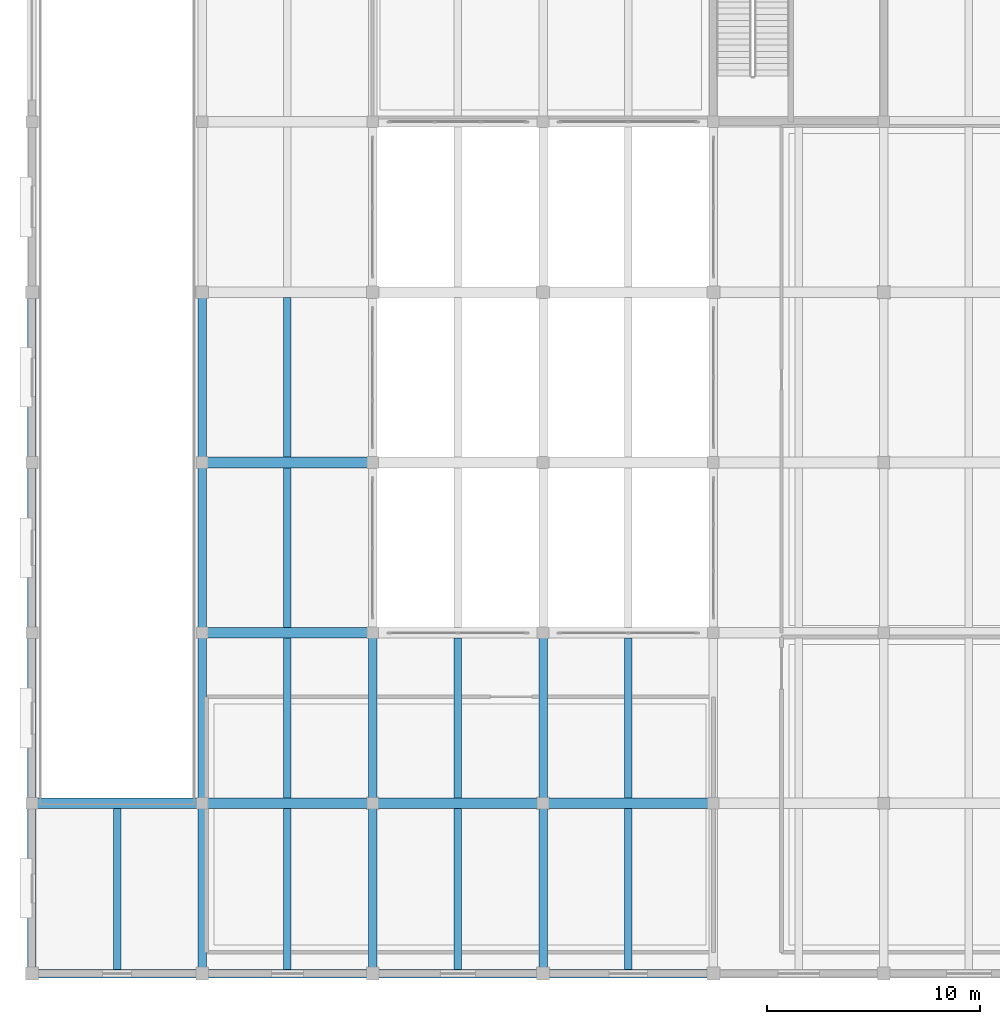
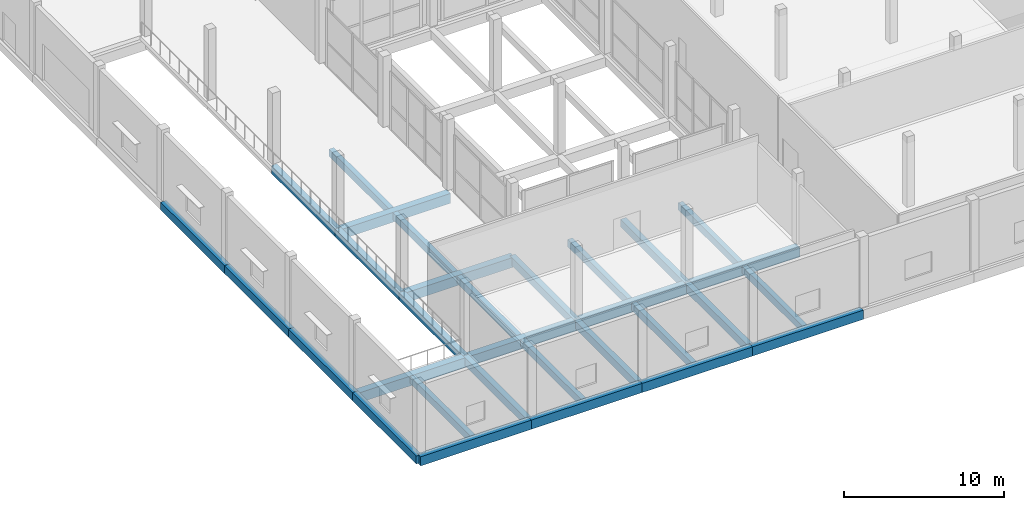
# One storey, part 3 of 41: 31 beams.
"""IFC4 building model written with IfcOpenShell, lengths in metres."""

from ifc_helpers import new_model, si_unit, direction, frame, origin, origin_2d, place, context, subcontext, project, spatial, rectangle, extrude, material, material_profile, profile_set, type_object, element, save


model = new_model("IFC4")

# Units and contexts
model_context = context("Model", 3, precision=1e-05, world=origin(), true_north=direction((0.0, 1.0)))
body_context = subcontext(model_context, "Body", "Model", "MODEL_VIEW")
ifc_project = project(units=[si_unit("LENGTHUNIT", "METRE"), si_unit("AREAUNIT", "SQUARE_METRE"), si_unit("VOLUMEUNIT", "CUBIC_METRE"), si_unit("PLANEANGLEUNIT", "RADIAN"), si_unit("MASSUNIT", "GRAM", prefix="KILO")], contexts=[model_context])

# Site, building, storey
site_placement = place(None, origin())
site = spatial("IfcSite", under=ifc_project, at=site_placement, CompositionType="ELEMENT")
building_placement = place(site_placement, origin())
building = spatial("IfcBuilding", under=site, at=building_placement, Name="Vharandega Faculty of Natural Sciences", CompositionType="ELEMENT")
storey_placement = place(building_placement, origin())
storey = spatial("IfcBuildingStorey", under=building, at=storey_placement, Name="L00", CompositionType="ELEMENT", Elevation=0.0)

# Beams
ifc_material_1 = material(Name="Concrete C40/50", Category="concrete")
ifc_material_profile_1 = material_profile(ifc_material_1, rectangle(XDim=0.5, YDim=0.75, at=origin_2d()), Name="RC 500x750")
ifc_profile_set_1 = profile_set([ifc_material_profile_1], Name="Concrete C40/50")
beam_type_1 = type_object("IfcBeamType", Name="Podium Primary Beam 500x750", PredefinedType="BEAM", material=ifc_profile_set_1)
for number, where, z_axis, x_axis, name in (
    (1, (0.0, 8.0, -0.675048828125), (1.0, 0.0, 0.0), (0.0, 1.0, 0.0), "Beam L00 B/1-2"),
    (2, (8.0, 8.0, -0.675048828125), (1.0, 0.0, 0.0), (0.0, 1.0, 0.0), "Beam L00 B/2-3"),
    (3, (16.0, 8.0, -0.675048828125), (1.0, 0.0, 0.0), (0.0, 1.0, 0.0), "Beam L00 B/3-4"),
    (4, (24.0, 8.0, -0.675048828125), (1.0, 0.0, 0.0), (0.0, 1.0, 0.0), "Beam L00 B/4-5"),
    (5, (8.0, 16.0, -0.675048828125), (1.0, 0.0, 0.0), (0.0, 1.0, 0.0), "Beam L00 C/2-3"),
    (6, (8.0, 24.0, -0.675048828125), (1.0, 0.0, 0.0), (0.0, 1.0, 0.0), "Beam L00 D/2-3"),
):
    element("IfcBeam", number, at=place(storey_placement, frame(where, z_axis=z_axis, x_axis=x_axis)), inside=storey, type_object=beam_type_1, Name=name, PredefinedType="BEAM", context=body_context, shape_type="SweptSolid", body=[
        extrude(rectangle(XDim=0.5, YDim=0.75, at=origin_2d()), origin(), (0.0, 0.0, 1.0), 8.0),
    ])
ifc_material_2 = material(Name="Concrete C40/50", Category="concrete")
ifc_material_profile_2 = material_profile(ifc_material_2, rectangle(XDim=0.39990234375, YDim=0.60009765625, at=origin_2d()), Name="RC 400x600")
ifc_profile_set_2 = profile_set([ifc_material_profile_2], Name="Concrete C40/50")
beam_type_2 = type_object("IfcBeamType", Name="Podium Rib Beam 400x600", PredefinedType="BEAM", material=ifc_profile_set_2)
for number, where, z_axis, x_axis, name in (
    (7, (0.0, 0.0, -0.60009765625), (0.0, 1.0, 0.0), (-1.0, 0.0, 0.0), "Beam L00 1/A-B"),
    (8, (0.0, 8.0, -0.60009765625), (0.0, 1.0, 0.0), (-1.0, 0.0, 0.0), "Beam L00 1/B-C"),
    (9, (0.0, 16.0, -0.60009765625), (0.0, 1.0, 0.0), (-1.0, 0.0, 0.0), "Beam L00 1/C-D"),
    (10, (0.0, 24.0, -0.60009765625), (0.0, 1.0, 0.0), (-1.0, 0.0, 0.0), "Beam L00 1/D-E"),
    (11, (8.0, 0.0, -0.60009765625), (0.0, 1.0, 0.0), (-1.0, 0.0, 0.0), "Beam L00 2/A-B"),
    (12, (8.0, 8.0, -0.60009765625), (0.0, 1.0, 0.0), (-1.0, 0.0, 0.0), "Beam L00 2/B-C"),
    (13, (8.0, 16.0, -0.60009765625), (0.0, 1.0, 0.0), (-1.0, 0.0, 0.0), "Beam L00 2/C-D"),
    (14, (8.0, 24.0, -0.60009765625), (0.0, 1.0, 0.0), (-1.0, 0.0, 0.0), "Beam L00 2/D-E"),
    (15, (16.0, 0.0, -0.60009765625), (0.0, 1.0, 0.0), (-1.0, 0.0, 0.0), "Beam L00 3/A-B"),
    (16, (16.0, 8.0, -0.60009765625), (0.0, 1.0, 0.0), (-1.0, 0.0, 0.0), "Beam L00 3/B-C"),
    (17, (24.0, 0.0, -0.60009765625), (0.0, 1.0, 0.0), (-1.0, 0.0, 0.0), "Beam L00 4/A-B"),
    (18, (24.0, 8.0, -0.60009765625), (0.0, 1.0, 0.0), (-1.0, 0.0, 0.0), "Beam L00 4/B-C"),
):
    element("IfcBeam", number, at=place(storey_placement, frame(where, z_axis=z_axis, x_axis=x_axis)), inside=storey, type_object=beam_type_2, Name=name, PredefinedType="BEAM", context=body_context, shape_type="SweptSolid", body=[
        extrude(rectangle(XDim=0.39990234375, YDim=0.60009765625, at=origin_2d()), origin(), (0.0, 0.0, 1.0), 8.0),
    ])
ifc_material_3 = material(Name="Concrete C40/50", Category="concrete")
ifc_material_profile_3 = material_profile(ifc_material_3, rectangle(XDim=0.35009765625, YDim=0.550048828125, at=origin_2d()), Name="RC 350x550")
ifc_profile_set_3 = profile_set([ifc_material_profile_3], Name="Concrete C40/50")
beam_type_3 = type_object("IfcBeamType", Name="Podium Secondary Beam 350x550", PredefinedType="JOIST", material=ifc_profile_set_3)
for number, where, z_axis, x_axis, name in (
    (19, (4.0, 0.199951171875, -0.574951171875), (0.0, 1.0, 0.0), (-1.0, 0.0, 0.0), "Secondary Joist L00 1-2/A-B"),
    (20, (12.0, 0.199951171875, -0.574951171875), (0.0, 1.0, 0.0), (-1.0, 0.0, 0.0), "Secondary Joist L00 2-3/A-B"),
):
    element("IfcBeam", number, at=place(storey_placement, frame(where, z_axis=z_axis, x_axis=x_axis)), inside=storey, type_object=beam_type_3, Name=name, PredefinedType="JOIST", context=body_context, shape_type="SweptSolid", body=[
        extrude(rectangle(XDim=0.35009765625, YDim=0.550048828125, at=origin_2d()), origin(), (0.0, 0.0, 1.0), 7.550048828125),
    ])
for number, where, z_axis, x_axis, name in (
    (21, (12.0, 8.25, -0.574951171875), (0.0, 1.0, 0.0), (-1.0, 0.0, 0.0), "Secondary Joist L00 2-3/B-C"),
    (22, (12.0, 16.25, -0.574951171875), (0.0, 1.0, 0.0), (-1.0, 0.0, 0.0), "Secondary Joist L00 2-3/C-D"),
    (23, (12.0, 24.25, -0.574951171875), (0.0, 1.0, 0.0), (-1.0, 0.0, 0.0), "Secondary Joist L00 2-3/D-E"),
):
    element("IfcBeam", number, at=place(storey_placement, frame(where, z_axis=z_axis, x_axis=x_axis)), inside=storey, type_object=beam_type_3, Name=name, PredefinedType="JOIST", context=body_context, shape_type="SweptSolid", body=[
        extrude(rectangle(XDim=0.35009765625, YDim=0.550048828125, at=origin_2d()), origin(), (0.0, 0.0, 1.0), 7.5),
    ])
beam_1_placement = place(storey_placement, frame((20.0, 0.199951171875, -0.574951171875), z_axis=(0.0, 1.0, 0.0), x_axis=(-1.0, 0.0, 0.0)))
element("IfcBeam", 24, at=beam_1_placement, inside=storey, type_object=beam_type_3, Name="Secondary Joist L00 3-4/A-B", PredefinedType="JOIST", context=body_context, shape_type="SweptSolid", body=[
    extrude(rectangle(XDim=0.35009765625, YDim=0.550048828125, at=origin_2d()), origin(), (0.0, 0.0, 1.0), 7.550048828125),
])
beam_2_placement = place(storey_placement, frame((20.0, 8.25, -0.574951171875), z_axis=(0.0, 1.0, 0.0), x_axis=(-1.0, 0.0, 0.0)))
element("IfcBeam", 25, at=beam_2_placement, inside=storey, type_object=beam_type_3, Name="Secondary Joist L00 3-4/B-C", PredefinedType="JOIST", context=body_context, shape_type="SweptSolid", body=[
    extrude(rectangle(XDim=0.35009765625, YDim=0.550048828125, at=origin_2d()), origin(), (0.0, 0.0, 1.0), 7.5),
])
beam_3_placement = place(storey_placement, frame((28.0, 0.199951171875, -0.574951171875), z_axis=(0.0, 1.0, 0.0), x_axis=(-1.0, 0.0, 0.0)))
element("IfcBeam", 26, at=beam_3_placement, inside=storey, type_object=beam_type_3, Name="Secondary Joist L00 4-5/A-B", PredefinedType="JOIST", context=body_context, shape_type="SweptSolid", body=[
    extrude(rectangle(XDim=0.35009765625, YDim=0.550048828125, at=origin_2d()), origin(), (0.0, 0.0, 1.0), 7.550048828125),
])
beam_4_placement = place(storey_placement, frame((28.0, 8.25, -0.574951171875), z_axis=(0.0, 1.0, 0.0), x_axis=(-1.0, 0.0, 0.0)))
element("IfcBeam", 27, at=beam_4_placement, inside=storey, type_object=beam_type_3, Name="Secondary Joist L00 4-5/B-C", PredefinedType="JOIST", context=body_context, shape_type="SweptSolid", body=[
    extrude(rectangle(XDim=0.35009765625, YDim=0.550048828125, at=origin_2d()), origin(), (0.0, 0.0, 1.0), 7.5),
])
ifc_material_4 = material(Name="Concrete C40/50", Category="concrete")
ifc_material_profile_4 = material_profile(ifc_material_4, rectangle(XDim=0.39990234375, YDim=0.699951171875, at=origin_2d()), Name="RC 400x700")
ifc_profile_set_4 = profile_set([ifc_material_profile_4], Name="Concrete C40/50")
beam_type_4 = type_object("IfcBeamType", Name="Podium Spandrel Beam 400x700", PredefinedType="SPANDREL", material=ifc_profile_set_4)
for number, where, z_axis, x_axis, name in (
    (28, (0.0, 0.0, -0.64990234375), (1.0, 0.0, 0.0), (0.0, 1.0, 0.0), "Beam L00 A/1-2"),
    (29, (8.0, 0.0, -0.64990234375), (1.0, 0.0, 0.0), (0.0, 1.0, 0.0), "Beam L00 A/2-3"),
    (30, (16.0, 0.0, -0.64990234375), (1.0, 0.0, 0.0), (0.0, 1.0, 0.0), "Beam L00 A/3-4"),
    (31, (24.0, 0.0, -0.64990234375), (1.0, 0.0, 0.0), (0.0, 1.0, 0.0), "Beam L00 A/4-5"),
):
    element("IfcBeam", number, at=place(storey_placement, frame(where, z_axis=z_axis, x_axis=x_axis)), inside=storey, type_object=beam_type_4, Name=name, PredefinedType="SPANDREL", context=body_context, shape_type="SweptSolid", body=[
        extrude(rectangle(XDim=0.39990234375, YDim=0.699951171875, at=origin_2d()), origin(), (0.0, 0.0, 1.0), 8.0),
    ])

save(model, "model.ifc")
